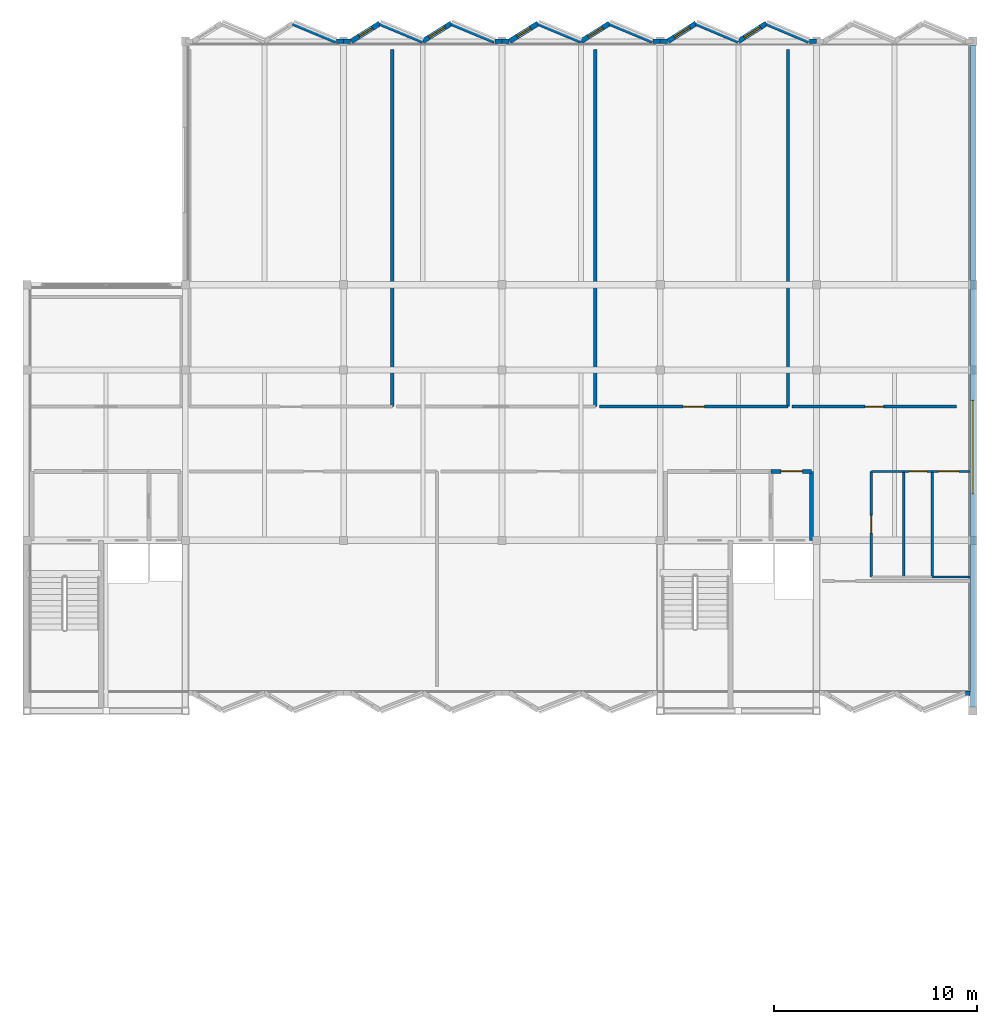
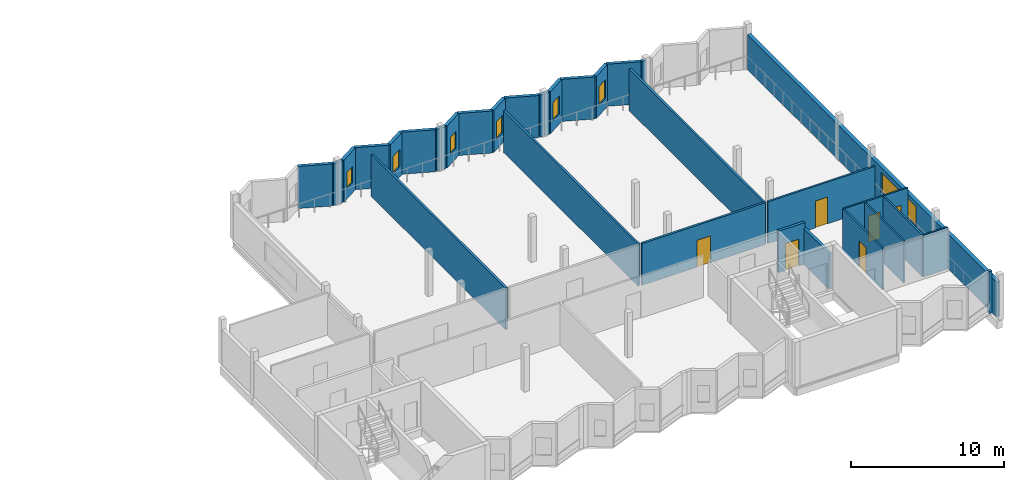
# One storey, part 9 of 15: 36 walls, 7 windows, 6 doors, 13 openings.
"""IFC4 building model written with IfcOpenShell, lengths in metres."""

from ifc_helpers import new_model, si_unit, direction, frame, frame_2d, origin, place, context, subcontext, project, spatial, rectangle, extrude, material, layer, layer_set, type_object, element, fill, save


model = new_model("IFC4")

# Units and contexts
model_context = context("Model", 3, precision=1e-05, world=origin(), true_north=direction((0.0, 1.0)))
body_context = subcontext(model_context, "Body", "Model", "MODEL_VIEW")
ifc_project = project(units=[si_unit("LENGTHUNIT", "METRE"), si_unit("AREAUNIT", "SQUARE_METRE"), si_unit("VOLUMEUNIT", "CUBIC_METRE"), si_unit("PLANEANGLEUNIT", "RADIAN"), si_unit("MASSUNIT", "GRAM", prefix="KILO")], contexts=[model_context])

# Site, building, storey
site_placement = place(None, origin())
site = spatial("IfcSite", under=ifc_project, at=site_placement, CompositionType="ELEMENT")
building_placement = place(site_placement, origin())
building = spatial("IfcBuilding", under=site, at=building_placement, Name="Vharandega Faculty of Natural Sciences", CompositionType="ELEMENT")
storey_placement = place(building_placement, frame((0.0, 0.0, 32.39990234375)))
storey = spatial("IfcBuildingStorey", under=building, at=storey_placement, Name="L08", CompositionType="ELEMENT", Elevation=32.39990234375)

# Wall, opening, door
ifc_material_1 = material(Name="Concrete C40/50", Category="concrete")
ifc_layer_1 = layer(ifc_material_1, 0.199951171875, Name="Concrete C40/50")
ifc_layer_set_1 = layer_set([ifc_layer_1], Name="Concrete C40/50")
wall_type_1 = type_object("IfcWallType", Name="Firefighting Lobby Wall 200", PredefinedType="PARTITIONING", material=ifc_layer_set_1)
wall_1_placement = place(storey_placement, frame((151.449951171875, 75.800048828125, 0.0), z_axis=(0.0, 0.0, 1.0), x_axis=(1.0, 0.0, 0.0)))
wall_1 = element("IfcWall", 1, at=wall_1_placement, inside=storey, type_object=wall_type_1, Name="Interior Wall PW-LL-C2-L08-N", PredefinedType="PARTITIONING", context=body_context, shape_type="SweptSolid", body=[
    extrude(rectangle(XDim=2.0, YDim=0.199951171875, at=frame_2d((1.0, 0.0))), origin(), (0.0, 0.0, 1.0), 3.320068359375),
])
opening_1_placement = place(wall_1_placement, frame((0.5, 0.0, 0.0)))
opening_1 = element("IfcOpeningElement", 2, at=opening_1_placement, cuts=wall_1, Name="Opening FD4", PredefinedType="OPENING", context=body_context, shape_type="SweptSolid", body=[
    extrude(rectangle(XDim=1.050048828125, YDim=2.14990234375, at=frame_2d((0.52490234375, 1.074951171875))), frame((0.0, 0.10986328125, 0.0), z_axis=(0.0, -1.0, 0.0), x_axis=(1.0, 0.0, 0.0)), (0.0, 0.0, 1.0), 0.219970703125),
])
ifc_material_2 = material(Name="Solid-core hardwood timber fire door", Category="wood")
door_type_1 = type_object("IfcDoorType", Name="FD4-LAB-SGL-1050x2150", OperationType="NOTDEFINED", PredefinedType="DOOR", material=ifc_material_2)
door_1_placement = place(opening_1_placement, origin())
door_1 = element("IfcDoor", 3, at=door_1_placement, inside=storey, type_object=door_type_1, Name="Lift Lobby C2 Door FD4", OperationType="SINGLE_SWING_RIGHT", OverallHeight=2.14990234375, OverallWidth=1.050048828125, PredefinedType="DOOR", context=body_context, shape_type="SweptSolid", body=[
    extrude(rectangle(XDim=1.050048828125, YDim=2.14990234375, at=frame_2d((0.52490234375, 1.074951171875))), frame((0.0, 0.02490234375, 0.0), z_axis=(0.0, -1.0, 0.0), x_axis=(1.0, 0.0, 0.0)), (0.0, 0.0, 1.0), 0.050048828125),
])
fill(opening_1, door_1)

# Walls
wall_2_placement = place(storey_placement, frame((153.449951171875, 72.39990234375, 0.0), z_axis=(0.0, 0.0, 1.0), x_axis=(0.0, 1.0, 0.0)))
element("IfcWall", 4, at=wall_2_placement, inside=storey, type_object=wall_type_1, Name="Interior Wall PW-LL-C2-L08-E", PredefinedType="PARTITIONING", context=body_context, shape_type="SweptSolid", body=[
    extrude(rectangle(XDim=3.400146484375, YDim=0.199951171875, at=frame_2d((1.7001953125, 0.0))), origin(), (0.0, 0.0, 1.0), 2.880126953125),
])
ifc_material_3 = material(Name="Gypsum fire-board on steel stud", Category="steel")
ifc_layer_2 = layer(ifc_material_3, 0.159912109375, Name="Gypsum fire-board on steel stud")
ifc_layer_set_2 = layer_set([ifc_layer_2], Name="Gypsum fire-board on steel stud")
wall_type_2 = type_object("IfcWallType", Name="Laboratory Fire Corridor Wall 160", PredefinedType="PARTITIONING", material=ifc_layer_set_2)
for number, where, z_axis, x_axis, name in (
    (5, (132.800048828125, 79.0, 0.0), (0.0, 0.0, 1.0), (0.0, 1.0, 0.0), "Interior Wall PW-L08-R08E"),
    (6, (142.800048828125, 79.0, 0.0), (0.0, 0.0, 1.0), (0.0, 1.0, 0.0), "Interior Wall PW-L08-R09E"),
):
    element("IfcWall", number, at=place(storey_placement, frame(where, z_axis=z_axis, x_axis=x_axis)), inside=storey, type_object=wall_type_2, Name=name, PredefinedType="PARTITIONING", context=body_context, shape_type="SweptSolid", body=[
        extrude(rectangle(XDim=17.60009765625, YDim=0.159912109375, at=frame_2d((8.800048828125, 0.0))), origin(), (0.0, 0.0, 1.0), 3.340087890625),
    ])

# Wall, opening, door
wall_3_placement = place(storey_placement, frame((143.0, 79.0, 0.0), z_axis=(0.0, 0.0, 1.0), x_axis=(1.0, 0.0, 0.0)))
wall_3 = element("IfcWall", 7, at=wall_3_placement, inside=storey, type_object=wall_type_2, Name="Interior Wall PW-L08-R10S", PredefinedType="PARTITIONING", context=body_context, shape_type="SweptSolid", body=[
    extrude(rectangle(XDim=9.300048828125, YDim=0.159912109375, at=frame_2d((4.64990234375, 0.0))), origin(), (0.0, 0.0, 1.0), 3.340087890625),
])
opening_2_placement = place(wall_3_placement, frame((4.125, 0.0, 0.0)))
opening_2 = element("IfcOpeningElement", 8, at=opening_2_placement, cuts=wall_3, Name="Opening FD4", PredefinedType="OPENING", context=body_context, shape_type="SweptSolid", body=[
    extrude(rectangle(XDim=1.050048828125, YDim=2.14990234375, at=frame_2d((0.52490234375, 1.074951171875))), frame((0.0, 0.08984375, 0.0), z_axis=(0.0, -1.0, 0.0), x_axis=(1.0, 0.0, 0.0)), (0.0, 0.0, 1.0), 0.179931640625),
])
door_2_placement = place(opening_2_placement, origin())
door_2 = element("IfcDoor", 9, at=door_2_placement, inside=storey, type_object=door_type_1, Name="Environmental Sensor Instrumentation Suite Door FD4", OperationType="SINGLE_SWING_LEFT", OverallHeight=2.14990234375, OverallWidth=1.050048828125, PredefinedType="DOOR", context=body_context, shape_type="SweptSolid", body=[
    extrude(rectangle(XDim=1.050048828125, YDim=2.14990234375, at=frame_2d((0.52490234375, 1.074951171875))), frame((0.0, 0.02490234375, 0.0), z_axis=(0.0, -1.0, 0.0), x_axis=(1.0, 0.0, 0.0)), (0.0, 0.0, 1.0), 0.050048828125),
])
fill(opening_2, door_2)

# Wall
wall_4_placement = place(storey_placement, frame((152.300048828125, 79.0, 0.0), z_axis=(0.0, 0.0, 1.0), x_axis=(0.0, 1.0, 0.0)))
element("IfcWall", 10, at=wall_4_placement, inside=storey, type_object=wall_type_2, Name="Interior Wall PW-L08-R10E", PredefinedType="PARTITIONING", context=body_context, shape_type="SweptSolid", body=[
    extrude(rectangle(XDim=17.60009765625, YDim=0.159912109375, at=frame_2d((8.800048828125, 0.0))), origin(), (0.0, 0.0, 1.0), 3.340087890625),
])

# Wall, opening, door
ifc_material_4 = material(Name="Gypsum acoustic partition", Category="gypsum")
ifc_layer_3 = layer(ifc_material_4, 0.139892578125, Name="Gypsum acoustic partition")
ifc_layer_set_3 = layer_set([ifc_layer_3], Name="Gypsum acoustic partition")
wall_type_3 = type_object("IfcWallType", Name="Room Partition Wall 140", PredefinedType="PARTITIONING", material=ifc_layer_set_3)
wall_5_placement = place(storey_placement, frame((152.5, 79.0, 0.0), z_axis=(0.0, 0.0, 1.0), x_axis=(1.0, 0.0, 0.0)))
wall_5 = element("IfcWall", 11, at=wall_5_placement, inside=storey, type_object=wall_type_3, Name="Interior Wall PW-L08-R11S", PredefinedType="PARTITIONING", context=body_context, shape_type="SweptSolid", body=[
    extrude(rectangle(XDim=8.10009765625, YDim=0.139892578125, at=frame_2d((4.050048828125, 0.0))), origin(), (0.0, 0.0, 1.0), 3.340087890625),
])
opening_3_placement = place(wall_5_placement, frame((3.590087890625, 0.0, 0.0)))
opening_3 = element("IfcOpeningElement", 12, at=opening_3_placement, cuts=wall_5, Name="Opening D0361", PredefinedType="OPENING", context=body_context, shape_type="SweptSolid", body=[
    extrude(rectangle(XDim=0.919921875, YDim=2.14990234375, at=frame_2d((0.4599609375, 1.074951171875))), frame((0.0, 0.080078125, 0.0), z_axis=(0.0, -1.0, 0.0), x_axis=(1.0, 0.0, 0.0)), (0.0, 0.0, 1.0), 0.159912109375),
])
ifc_material_5 = material(Name="Solid-core hardwood timber fire door", Category="wood")
door_type_2 = type_object("IfcDoorType", Name="ID05-OFFICE-0920x2150", OperationType="NOTDEFINED", PredefinedType="DOOR", material=ifc_material_5)
door_3_placement = place(opening_3_placement, origin())
door_3 = element("IfcDoor", 13, at=door_3_placement, inside=storey, type_object=door_type_2, Name="Academic Staff Office Suite 8A Door D0361", OperationType="SINGLE_SWING_RIGHT", OverallHeight=2.14990234375, OverallWidth=0.919921875, PredefinedType="DOOR", context=body_context, shape_type="SweptSolid", body=[
    extrude(rectangle(XDim=0.919921875, YDim=2.14990234375, at=frame_2d((0.4599609375, 1.074951171875))), frame((0.0, 0.02490234375, 0.0), z_axis=(0.0, -1.0, 0.0), x_axis=(1.0, 0.0, 0.0)), (0.0, 0.0, 1.0), 0.050048828125),
])
fill(opening_3, door_3)

# Wall
ifc_material_6 = material(Name="Moisture-resistant gypsum partition", Category="gypsum")
ifc_layer_4 = layer(ifc_material_6, 0.1201171875, Name="Moisture-resistant gypsum partition")
ifc_layer_set_4 = layer_set([ifc_layer_4], Name="Moisture-resistant gypsum partition")
wall_type_4 = type_object("IfcWallType", Name="Sanitary Wet Wall 120", PredefinedType="PARTITIONING", material=ifc_layer_set_4)
wall_6_placement = place(storey_placement, frame((156.39990234375, 75.800048828125, 0.0), z_axis=(0.0, 0.0, 1.0), x_axis=(1.0, 0.0, 0.0)))
element("IfcWall", 14, at=wall_6_placement, inside=storey, type_object=wall_type_4, Name="Interior Wall PW-L08-R04N", PredefinedType="PARTITIONING", context=body_context, shape_type="SweptSolid", body=[
    extrude(rectangle(XDim=1.60009765625, YDim=0.1201171875, at=frame_2d((0.800048828125, 0.0))), origin(), (0.0, 0.0, 1.0), 3.340087890625),
])

# Wall, opening, door
wall_7_placement = place(storey_placement, frame((156.39990234375, 70.60009765625, 0.0), z_axis=(0.0, 0.0, 1.0), x_axis=(0.0, 1.0, 0.0)))
wall_7 = element("IfcWall", 15, at=wall_7_placement, inside=storey, type_object=wall_type_4, Name="Interior Wall PW-L08-R04W", PredefinedType="PARTITIONING", context=body_context, shape_type="SweptSolid", body=[
    extrude(rectangle(XDim=5.199951171875, YDim=0.1201171875, at=frame_2d((2.60009765625, 0.0))), origin(), (0.0, 0.0, 1.0), 3.340087890625),
])
opening_4_placement = place(wall_7_placement, frame((2.159912109375, 0.0, 0.0)))
opening_4 = element("IfcOpeningElement", 16, at=opening_4_placement, cuts=wall_7, Name="Opening D0354", PredefinedType="OPENING", context=body_context, shape_type="SweptSolid", body=[
    extrude(rectangle(XDim=0.8798828125, YDim=2.10009765625, at=frame_2d((0.43994140625, 1.050048828125))), frame((0.0, 0.070068359375, 0.0), z_axis=(0.0, -1.0, 0.0), x_axis=(1.0, 0.0, 0.0)), (0.0, 0.0, 1.0), 0.14013671875),
])
ifc_material_7 = material(Name="Solid-core hardwood timber fire door", Category="wood")
door_type_3 = type_object("IfcDoorType", Name="ID06-WC-0880x2100", OperationType="NOTDEFINED", PredefinedType="DOOR", material=ifc_material_7)
door_4_placement = place(opening_4_placement, origin())
door_4 = element("IfcDoor", 17, at=door_4_placement, inside=storey, type_object=door_type_3, Name="L08 Male Washroom Door D0354", OperationType="SINGLE_SWING_LEFT", OverallHeight=2.10009765625, OverallWidth=0.8798828125, PredefinedType="DOOR", context=body_context, shape_type="SweptSolid", body=[
    extrude(rectangle(XDim=0.8798828125, YDim=2.10009765625, at=frame_2d((0.43994140625, 1.050048828125))), frame((0.0, 0.02490234375, 0.0), z_axis=(0.0, -1.0, 0.0), x_axis=(1.0, 0.0, 0.0)), (0.0, 0.0, 1.0), 0.050048828125),
])
fill(opening_4, door_4)

# Wall
wall_8_placement = place(storey_placement, frame((158.0, 70.60009765625, 0.0), z_axis=(0.0, 0.0, 1.0), x_axis=(0.0, 1.0, 0.0)))
element("IfcWall", 18, at=wall_8_placement, inside=storey, type_object=wall_type_4, Name="Interior Wall PW-L08-R04E", PredefinedType="PARTITIONING", context=body_context, shape_type="SweptSolid", body=[
    extrude(rectangle(XDim=5.199951171875, YDim=0.1201171875, at=frame_2d((2.60009765625, 0.0))), origin(), (0.0, 0.0, 1.0), 3.340087890625),
])

# Wall, opening, door
wall_9_placement = place(storey_placement, frame((158.0, 75.800048828125, 0.0), z_axis=(0.0, 0.0, 1.0), x_axis=(1.0, 0.0, 0.0)))
wall_9 = element("IfcWall", 19, at=wall_9_placement, inside=storey, type_object=wall_type_4, Name="Interior Wall PW-L08-R05N", PredefinedType="PARTITIONING", context=body_context, shape_type="SweptSolid", body=[
    extrude(rectangle(XDim=1.39990234375, YDim=0.1201171875, at=frame_2d((0.699951171875, 0.0))), origin(), (0.0, 0.0, 1.0), 3.340087890625),
])
opening_5_placement = place(wall_9_placement, frame((0.260009765625, 0.0, 0.0)))
opening_5 = element("IfcOpeningElement", 20, at=opening_5_placement, cuts=wall_9, Name="Opening D0355", PredefinedType="OPENING", context=body_context, shape_type="SweptSolid", body=[
    extrude(rectangle(XDim=0.8798828125, YDim=2.10009765625, at=frame_2d((0.43994140625, 1.050048828125))), frame((0.0, 0.070068359375, 0.0), z_axis=(0.0, -1.0, 0.0), x_axis=(1.0, 0.0, 0.0)), (0.0, 0.0, 1.0), 0.14013671875),
])
door_5_placement = place(opening_5_placement, origin())
door_5 = element("IfcDoor", 21, at=door_5_placement, inside=storey, type_object=door_type_3, Name="L08 Female Washroom Door D0355", OperationType="SINGLE_SWING_RIGHT", OverallHeight=2.10009765625, OverallWidth=0.8798828125, PredefinedType="DOOR", context=body_context, shape_type="SweptSolid", body=[
    extrude(rectangle(XDim=0.8798828125, YDim=2.10009765625, at=frame_2d((0.43994140625, 1.050048828125))), frame((0.0, 0.02490234375, 0.0), z_axis=(0.0, -1.0, 0.0), x_axis=(1.0, 0.0, 0.0)), (0.0, 0.0, 1.0), 0.050048828125),
])
fill(opening_5, door_5)

# Walls
wall_10_placement = place(storey_placement, frame((159.39990234375, 70.60009765625, 0.0), z_axis=(0.0, 0.0, 1.0), x_axis=(0.0, 1.0, 0.0)))
element("IfcWall", 22, at=wall_10_placement, inside=storey, type_object=wall_type_4, Name="Interior Wall PW-L08-R05E", PredefinedType="PARTITIONING", context=body_context, shape_type="SweptSolid", body=[
    extrude(rectangle(XDim=5.199951171875, YDim=0.1201171875, at=frame_2d((2.60009765625, 0.0))), origin(), (0.0, 0.0, 1.0), 3.340087890625),
])
wall_11_placement = place(storey_placement, frame((159.39990234375, 70.60009765625, 0.0), z_axis=(0.0, 0.0, 1.0), x_axis=(1.0, 0.0, 0.0)))
element("IfcWall", 23, at=wall_11_placement, inside=storey, type_object=wall_type_4, Name="Interior Wall PW-L08-R06S", PredefinedType="PARTITIONING", context=body_context, shape_type="SweptSolid", body=[
    extrude(rectangle(XDim=1.860107421875, YDim=0.1201171875, at=frame_2d((0.93017578125, 0.0))), origin(), (0.0, 0.0, 1.0), 3.340087890625),
])

# Wall, opening, door
wall_12_placement = place(storey_placement, frame((159.39990234375, 75.800048828125, 0.0), z_axis=(0.0, 0.0, 1.0), x_axis=(1.0, 0.0, 0.0)))
wall_12 = element("IfcWall", 24, at=wall_12_placement, inside=storey, type_object=wall_type_4, Name="Interior Wall PW-L08-R06N", PredefinedType="PARTITIONING", context=body_context, shape_type="SweptSolid", body=[
    extrude(rectangle(XDim=1.860107421875, YDim=0.1201171875, at=frame_2d((0.93017578125, 0.0))), origin(), (0.0, 0.0, 1.0), 3.340087890625),
])
opening_6_placement = place(wall_12_placement, frame((0.300048828125, 0.0, 0.0)))
opening_6 = element("IfcOpeningElement", 25, at=opening_6_placement, cuts=wall_12, Name="Opening D0356", PredefinedType="OPENING", context=body_context, shape_type="SweptSolid", body=[
    extrude(rectangle(XDim=1.02001953125, YDim=2.10009765625, at=frame_2d((0.510009765625, 1.050048828125))), frame((0.0, 0.070068359375, 0.0), z_axis=(0.0, -1.0, 0.0), x_axis=(1.0, 0.0, 0.0)), (0.0, 0.0, 1.0), 0.14013671875),
])
ifc_material_8 = material(Name="Solid-core hardwood timber fire door", Category="wood")
door_type_4 = type_object("IfcDoorType", Name="ID07-ACCWC-1020x2100", OperationType="NOTDEFINED", PredefinedType="DOOR", material=ifc_material_8)
door_6_placement = place(opening_6_placement, origin())
door_6 = element("IfcDoor", 26, at=door_6_placement, inside=storey, type_object=door_type_4, Name="L08 Accessible WC Door D0356", OperationType="SINGLE_SWING_LEFT", OverallHeight=2.10009765625, OverallWidth=1.02001953125, PredefinedType="DOOR", context=body_context, shape_type="SweptSolid", body=[
    extrude(rectangle(XDim=1.02001953125, YDim=2.10009765625, at=frame_2d((0.510009765625, 1.050048828125))), frame((0.0, 0.02490234375, 0.0), z_axis=(0.0, -1.0, 0.0), x_axis=(1.0, 0.0, 0.0)), (0.0, 0.0, 1.0), 0.050048828125),
])
fill(opening_6, door_6)

# Wall, opening, window
ifc_material_9 = material(Name="Precast concrete C40/50", Category="concrete")
ifc_layer_5 = layer(ifc_material_9, 0.25, Name="Precast concrete C40/50")
ifc_layer_set_5 = layer_set([ifc_layer_5], Name="Precast concrete C40/50")
wall_type_5 = type_object("IfcWallType", Name="Sawtooth Glazed-Face Precast Wall 250", PredefinedType="SOLIDWALL", material=ifc_layer_set_5)
wall_13_placement = place(storey_placement, frame((130.780029296875, 97.0, 0.0), z_axis=(0.0, 0.0, 1.0), x_axis=(0.848023086369, 0.529959286158, 0.0)))
wall_13 = element("IfcWall", 27, at=wall_13_placement, inside=storey, type_object=wall_type_5, Name="Exterior Wall EW-SAW-L08-N03G", PredefinedType="SOLIDWALL", context=body_context, shape_type="SweptSolid", body=[
    extrude(rectangle(XDim=1.660400390625, YDim=0.25, at=frame_2d((0.830078125, 0.0))), origin(), (0.0, 0.0, 1.0), 3.360107421875),
])
opening_7_placement = place(wall_13_placement, frame((0.440185546875, 0.0, 0.820068359375)))
opening_7 = element("IfcOpeningElement", 28, at=opening_7_placement, cuts=wall_13, Name="Opening WN-06A", PredefinedType="OPENING", context=body_context, shape_type="SweptSolid", body=[
    extrude(rectangle(XDim=0.780029296875, YDim=1.300048828125, at=frame_2d((0.39013671875, 0.64990234375))), frame((0.0, 0.135009765625, 0.0), z_axis=(0.0, -1.0, 0.0), x_axis=(1.0, 0.0, 0.0)), (0.0, 0.0, 1.0), 0.27001953125),
])
ifc_material_10 = material(Name="Double-glazed solar-control glass in thermally broken aluminium frame", Category="aluminium")
window_type_1 = type_object("IfcWindowType", Name="WIN-SAW-078x130", PartitioningType="SINGLE_PANEL", PredefinedType="WINDOW", material=ifc_material_10)
window_1_placement = place(opening_7_placement, origin())
window_1 = element("IfcWindow", 29, at=window_1_placement, inside=storey, type_object=window_type_1, Name="Window WIN-L08-0071", OverallHeight=1.300048828125, OverallWidth=0.780029296875, PartitioningType="SINGLE_PANEL", PredefinedType="WINDOW", context=body_context, shape_type="SweptSolid", body=[
    extrude(rectangle(XDim=0.780029296875, YDim=1.300048828125, at=frame_2d((0.39013671875, 0.64990234375))), frame((0.0, 0.030029296875, 0.0), z_axis=(0.0, -1.0, 0.0), x_axis=(1.0, 0.0, 0.0)), (0.0, 0.0, 1.0), 0.06005859375),
])
fill(opening_7, window_1)

wall_14_placement = place(storey_placement, frame((134.300048828125, 97.0, 0.0), z_axis=(0.0, 0.0, 1.0), x_axis=(0.848023086369, 0.529959286158, 0.0)))
wall_14 = element("IfcWall", 30, at=wall_14_placement, inside=storey, type_object=wall_type_5, Name="Exterior Wall EW-SAW-L08-N04G", PredefinedType="SOLIDWALL", context=body_context, shape_type="SweptSolid", body=[
    extrude(rectangle(XDim=1.660400390625, YDim=0.25, at=frame_2d((0.830078125, 0.0))), origin(), (0.0, 0.0, 1.0), 3.360107421875),
])
opening_8_placement = place(wall_14_placement, frame((0.3701171875, 0.0, 0.820068359375)))
opening_8 = element("IfcOpeningElement", 31, at=opening_8_placement, cuts=wall_14, Name="Opening WN-06B", PredefinedType="OPENING", context=body_context, shape_type="SweptSolid", body=[
    extrude(rectangle(XDim=0.919921875, YDim=1.3798828125, at=frame_2d((0.4599609375, 0.68994140625))), frame((0.0, 0.135009765625, 0.0), z_axis=(0.0, -1.0, 0.0), x_axis=(1.0, 0.0, 0.0)), (0.0, 0.0, 1.0), 0.27001953125),
])
ifc_material_11 = material(Name="Double-glazed solar-control glass in thermally broken aluminium frame", Category="aluminium")
window_type_2 = type_object("IfcWindowType", Name="WIN-SAW-092x138", PartitioningType="SINGLE_PANEL", PredefinedType="WINDOW", material=ifc_material_11)
window_2_placement = place(opening_8_placement, origin())
window_2 = element("IfcWindow", 32, at=window_2_placement, inside=storey, type_object=window_type_2, Name="Window WIN-L08-0072", OverallHeight=1.3798828125, OverallWidth=0.919921875, PartitioningType="SINGLE_PANEL", PredefinedType="WINDOW", context=body_context, shape_type="SweptSolid", body=[
    extrude(rectangle(XDim=0.919921875, YDim=1.3798828125, at=frame_2d((0.4599609375, 0.68994140625))), frame((0.0, 0.030029296875, 0.0), z_axis=(0.0, -1.0, 0.0), x_axis=(1.0, 0.0, 0.0)), (0.0, 0.0, 1.0), 0.06005859375),
])
fill(opening_8, window_2)

wall_15_placement = place(storey_placement, frame((138.580078125, 97.0, 0.0), z_axis=(0.0, 0.0, 1.0), x_axis=(0.848023086369, 0.529959286158, 0.0)))
wall_15 = element("IfcWall", 33, at=wall_15_placement, inside=storey, type_object=wall_type_5, Name="Exterior Wall EW-SAW-L08-N05G", PredefinedType="SOLIDWALL", context=body_context, shape_type="SweptSolid", body=[
    extrude(rectangle(XDim=1.660400390625, YDim=0.25, at=frame_2d((0.830078125, 0.0))), origin(), (0.0, 0.0, 1.0), 3.360107421875),
])
opening_9_placement = place(wall_15_placement, frame((0.43017578125, 0.0, 0.820068359375)))
opening_9 = element("IfcOpeningElement", 34, at=opening_9_placement, cuts=wall_15, Name="Opening WN-01", PredefinedType="OPENING", context=body_context, shape_type="SweptSolid", body=[
    extrude(rectangle(XDim=0.800048828125, YDim=1.35009765625, at=frame_2d((0.39990234375, 0.675048828125))), frame((0.0, 0.135009765625, 0.0), z_axis=(0.0, -1.0, 0.0), x_axis=(1.0, 0.0, 0.0)), (0.0, 0.0, 1.0), 0.27001953125),
])
ifc_material_12 = material(Name="Double-glazed solar-control glass in thermally broken aluminium frame", Category="aluminium")
window_type_3 = type_object("IfcWindowType", Name="WIN-SAW-080x135", PartitioningType="SINGLE_PANEL", PredefinedType="WINDOW", material=ifc_material_12)
window_3_placement = place(opening_9_placement, origin())
window_3 = element("IfcWindow", 35, at=window_3_placement, inside=storey, type_object=window_type_3, Name="Window WIN-L08-0073", OverallHeight=1.35009765625, OverallWidth=0.800048828125, PartitioningType="SINGLE_PANEL", PredefinedType="WINDOW", context=body_context, shape_type="SweptSolid", body=[
    extrude(rectangle(XDim=0.800048828125, YDim=1.35009765625, at=frame_2d((0.39990234375, 0.675048828125))), frame((0.0, 0.030029296875, 0.0), z_axis=(0.0, -1.0, 0.0), x_axis=(1.0, 0.0, 0.0)), (0.0, 0.0, 1.0), 0.06005859375),
])
fill(opening_9, window_3)

wall_16_placement = place(storey_placement, frame((142.10009765625, 97.0, 0.0), z_axis=(0.0, 0.0, 1.0), x_axis=(0.848023086369, 0.529959286158, 0.0)))
wall_16 = element("IfcWall", 36, at=wall_16_placement, inside=storey, type_object=wall_type_5, Name="Exterior Wall EW-SAW-L08-N06G", PredefinedType="SOLIDWALL", context=body_context, shape_type="SweptSolid", body=[
    extrude(rectangle(XDim=1.660400390625, YDim=0.25, at=frame_2d((0.830078125, 0.0))), origin(), (0.0, 0.0, 1.0), 3.360107421875),
])
opening_10_placement = place(wall_16_placement, frame((0.4052734375, 0.0, 0.820068359375)))
opening_10 = element("IfcOpeningElement", 37, at=opening_10_placement, cuts=wall_16, Name="Opening WN-02", PredefinedType="OPENING", context=body_context, shape_type="SweptSolid", body=[
    extrude(rectangle(XDim=0.85009765625, YDim=1.39990234375, at=frame_2d((0.425048828125, 0.699951171875))), frame((0.0, 0.135009765625, 0.0), z_axis=(0.0, -1.0, 0.0), x_axis=(1.0, 0.0, 0.0)), (0.0, 0.0, 1.0), 0.27001953125),
])
ifc_material_13 = material(Name="Double-glazed solar-control glass in thermally broken aluminium frame", Category="aluminium")
window_type_4 = type_object("IfcWindowType", Name="WIN-SAW-085x140", PartitioningType="SINGLE_PANEL", PredefinedType="WINDOW", material=ifc_material_13)
window_4_placement = place(opening_10_placement, origin())
window_4 = element("IfcWindow", 38, at=window_4_placement, inside=storey, type_object=window_type_4, Name="Window WIN-L08-0074", OverallHeight=1.39990234375, OverallWidth=0.85009765625, PartitioningType="SINGLE_PANEL", PredefinedType="WINDOW", context=body_context, shape_type="SweptSolid", body=[
    extrude(rectangle(XDim=0.85009765625, YDim=1.39990234375, at=frame_2d((0.425048828125, 0.699951171875))), frame((0.0, 0.030029296875, 0.0), z_axis=(0.0, -1.0, 0.0), x_axis=(1.0, 0.0, 0.0)), (0.0, 0.0, 1.0), 0.06005859375),
])
fill(opening_10, window_4)

wall_17_placement = place(storey_placement, frame((146.3798828125, 97.0, 0.0), z_axis=(0.0, 0.0, 1.0), x_axis=(0.844626536799, 0.535355968805, 0.0)))
wall_17 = element("IfcWall", 39, at=wall_17_placement, inside=storey, type_object=wall_type_5, Name="Exterior Wall EW-SAW-L08-N07G", PredefinedType="SOLIDWALL", context=body_context, shape_type="SweptSolid", body=[
    extrude(rectangle(XDim=1.6435546875, YDim=0.25, at=frame_2d((0.82177734375, 0.0))), origin(), (0.0, 0.0, 1.0), 3.360107421875),
])
opening_11_placement = place(wall_17_placement, frame((0.37158203125, 0.0, 0.820068359375)))
opening_11 = element("IfcOpeningElement", 40, at=opening_11_placement, cuts=wall_17, Name="Opening WN-03", PredefinedType="OPENING", context=body_context, shape_type="SweptSolid", body=[
    extrude(rectangle(XDim=0.89990234375, YDim=1.449951171875, at=frame_2d((0.449951171875, 0.72509765625))), frame((0.0, 0.135009765625, 0.0), z_axis=(0.0, -1.0, 0.0), x_axis=(1.0, 0.0, 0.0)), (0.0, 0.0, 1.0), 0.27001953125),
])
ifc_material_14 = material(Name="Double-glazed solar-control glass in thermally broken aluminium frame", Category="aluminium")
window_type_5 = type_object("IfcWindowType", Name="WIN-SAW-090x145", PartitioningType="SINGLE_PANEL", PredefinedType="WINDOW", material=ifc_material_14)
window_5_placement = place(opening_11_placement, origin())
window_5 = element("IfcWindow", 41, at=window_5_placement, inside=storey, type_object=window_type_5, Name="Window WIN-L08-0075", OverallHeight=1.449951171875, OverallWidth=0.89990234375, PartitioningType="SINGLE_PANEL", PredefinedType="WINDOW", context=body_context, shape_type="SweptSolid", body=[
    extrude(rectangle(XDim=0.89990234375, YDim=1.449951171875, at=frame_2d((0.449951171875, 0.72509765625))), frame((0.0, 0.030029296875, 0.0), z_axis=(0.0, -1.0, 0.0), x_axis=(1.0, 0.0, 0.0)), (0.0, 0.0, 1.0), 0.06005859375),
])
fill(opening_11, window_5)

wall_18_placement = place(storey_placement, frame((149.85009765625, 97.0, 0.0), z_axis=(0.0, 0.0, 1.0), x_axis=(0.844583954912, 0.535423143976, 0.0)))
wall_18 = element("IfcWall", 42, at=wall_18_placement, inside=storey, type_object=wall_type_5, Name="Exterior Wall EW-SAW-L08-N08G", PredefinedType="SOLIDWALL", context=body_context, shape_type="SweptSolid", body=[
    extrude(rectangle(XDim=1.643310546875, YDim=0.25, at=frame_2d((0.82177734375, 0.0))), origin(), (0.0, 0.0, 1.0), 3.360107421875),
])
opening_12_placement = place(wall_18_placement, frame((0.3466796875, 0.0, 0.820068359375)))
opening_12 = element("IfcOpeningElement", 43, at=opening_12_placement, cuts=wall_18, Name="Opening WN-04", PredefinedType="OPENING", context=body_context, shape_type="SweptSolid", body=[
    extrude(rectangle(XDim=0.949951171875, YDim=1.5, at=frame_2d((0.47509765625, 0.75))), frame((0.0, 0.135009765625, 0.0), z_axis=(0.0, -1.0, 0.0), x_axis=(1.0, 0.0, 0.0)), (0.0, 0.0, 1.0), 0.27001953125),
])
ifc_material_15 = material(Name="Double-glazed solar-control glass in thermally broken aluminium frame", Category="aluminium")
window_type_6 = type_object("IfcWindowType", Name="WIN-SAW-095x150", PartitioningType="SINGLE_PANEL", PredefinedType="WINDOW", material=ifc_material_15)
window_6_placement = place(opening_12_placement, origin())
window_6 = element("IfcWindow", 44, at=window_6_placement, inside=storey, type_object=window_type_6, Name="Window WIN-L08-0076", OverallHeight=1.5, OverallWidth=0.949951171875, PartitioningType="SINGLE_PANEL", PredefinedType="WINDOW", context=body_context, shape_type="SweptSolid", body=[
    extrude(rectangle(XDim=0.949951171875, YDim=1.5, at=frame_2d((0.47509765625, 0.75))), frame((0.0, 0.030029296875, 0.0), z_axis=(0.0, -1.0, 0.0), x_axis=(1.0, 0.0, 0.0)), (0.0, 0.0, 1.0), 0.06005859375),
])
fill(opening_12, window_6)

# Walls
ifc_material_16 = material(Name="Precast concrete C40/50", Category="concrete")
ifc_layer_6 = layer(ifc_material_16, 0.22998046875, Name="Precast concrete C40/50")
ifc_layer_set_6 = layer_set([ifc_layer_6], Name="Precast concrete C40/50")
wall_type_6 = type_object("IfcWallType", Name="Sawtooth Solid White Precast Wall 230", PredefinedType="SOLIDWALL", material=ifc_layer_set_6)
wall_19_placement = place(storey_placement, frame((130.050048828125, 97.0, 0.0), z_axis=(0.0, 0.0, 1.0), x_axis=(1.0, 0.0, 0.0)))
element("IfcWall", 45, at=wall_19_placement, inside=storey, type_object=wall_type_6, Name="Exterior Wall EW-SHL-L08-N17R", PredefinedType="SOLIDWALL", context=body_context, shape_type="SweptSolid", body=[
    extrude(rectangle(XDim=0.349853515625, YDim=0.22998046875, at=frame_2d((0.1748046875, 0.0))), origin(), (0.0, 0.0, 1.0), 3.360107421875),
])
wall_20_placement = place(storey_placement, frame((130.39990234375, 97.0, 0.0), z_axis=(0.0, 0.0, 1.0), x_axis=(1.0, 0.0, 0.0)))
element("IfcWall", 46, at=wall_20_placement, inside=storey, type_object=wall_type_6, Name="Exterior Wall EW-SHL-L08-N17L", PredefinedType="SOLIDWALL", context=body_context, shape_type="SweptSolid", body=[
    extrude(rectangle(XDim=0.35009765625, YDim=0.22998046875, at=frame_2d((0.175048828125, 0.0))), origin(), (0.0, 0.0, 1.0), 3.360107421875),
])
wall_21_placement = place(storey_placement, frame((137.85009765625, 97.0, 0.0), z_axis=(0.0, 0.0, 1.0), x_axis=(1.0, 0.0, 0.0)))
element("IfcWall", 47, at=wall_21_placement, inside=storey, type_object=wall_type_6, Name="Exterior Wall EW-SHL-L08-N18R", PredefinedType="SOLIDWALL", context=body_context, shape_type="SweptSolid", body=[
    extrude(rectangle(XDim=0.349853515625, YDim=0.22998046875, at=frame_2d((0.1748046875, 0.0))), origin(), (0.0, 0.0, 1.0), 3.360107421875),
])
for number, where, z_axis, x_axis, name in (
    (48, (138.199951171875, 97.0, 0.0), (0.0, 0.0, 1.0), (1.0, 0.0, 0.0), "Exterior Wall EW-SHL-L08-N18L"),
    (49, (145.64990234375, 97.0, 0.0), (0.0, 0.0, 1.0), (1.0, 0.0, 0.0), "Exterior Wall EW-SHL-L08-N19R"),
    (50, (146.0, 97.0, 0.0), (0.0, 0.0, 1.0), (1.0, 0.0, 0.0), "Exterior Wall EW-SHL-L08-N19L"),
):
    element("IfcWall", number, at=place(storey_placement, frame(where, z_axis=z_axis, x_axis=x_axis)), inside=storey, type_object=wall_type_6, Name=name, PredefinedType="SOLIDWALL", context=body_context, shape_type="SweptSolid", body=[
        extrude(rectangle(XDim=0.35009765625, YDim=0.22998046875, at=frame_2d((0.175048828125, 0.0))), origin(), (0.0, 0.0, 1.0), 3.360107421875),
    ])
wall_22_placement = place(storey_placement, frame((153.35009765625, 97.0, 0.0), z_axis=(0.0, 0.0, 1.0), x_axis=(1.0, 0.0, 0.0)))
element("IfcWall", 51, at=wall_22_placement, inside=storey, type_object=wall_type_6, Name="Exterior Wall EW-SHL-L08-N20R", PredefinedType="SOLIDWALL", context=body_context, shape_type="SweptSolid", body=[
    extrude(rectangle(XDim=0.349853515625, YDim=0.22998046875, at=frame_2d((0.1748046875, 0.0))), origin(), (0.0, 0.0, 1.0), 3.360107421875),
])
wall_23_placement = place(storey_placement, frame((161.264892578125, 64.8798828125, 0.0), z_axis=(0.0, 0.0, 1.0), x_axis=(-1.0, 0.0, 0.0)))
element("IfcWall", 52, at=wall_23_placement, inside=storey, type_object=wall_type_6, Name="Exterior Wall EW-SHL-L08-S2021FR", PredefinedType="SOLIDWALL", context=body_context, shape_type="SweptSolid", body=[
    extrude(rectangle(XDim=0.224853515625, YDim=0.22998046875, at=frame_2d((0.1123046875, 0.0))), origin(), (0.0, 0.0, 1.0), 3.360107421875),
])
for number, where, z_axis, x_axis, name in (
    (53, (127.907958984375, 97.8798828125, 0.0), (0.0, 0.0, 1.0), (0.92309902008, -0.384562347517, 0.0), "Exterior Wall EW-SAW-L08-N02S"),
    (54, (132.18798828125, 97.8798828125, 0.0), (0.0, 0.0, 1.0), (0.92309902008, -0.384562347517, 0.0), "Exterior Wall EW-SAW-L08-N03S"),
    (55, (135.7080078125, 97.8798828125, 0.0), (0.0, 0.0, 1.0), (0.92309902008, -0.384562347517, 0.0), "Exterior Wall EW-SAW-L08-N04S"),
    (56, (139.988037109375, 97.8798828125, 0.0), (0.0, 0.0, 1.0), (0.92309902008, -0.384562347517, 0.0), "Exterior Wall EW-SAW-L08-N05S"),
    (57, (143.508056640625, 97.8798828125, 0.0), (0.0, 0.0, 1.0), (0.92309902008, -0.384562347517, 0.0), "Exterior Wall EW-SAW-L08-N06S"),
):
    element("IfcWall", number, at=place(storey_placement, frame(where, z_axis=z_axis, x_axis=x_axis)), inside=storey, type_object=wall_type_6, Name=name, PredefinedType="SOLIDWALL", context=body_context, shape_type="SweptSolid", body=[
        extrude(rectangle(XDim=2.2880859375, YDim=0.22998046875, at=frame_2d((1.14404296875, 0.0))), origin(), (0.0, 0.0, 1.0), 3.360107421875),
    ])
for number, where, z_axis, x_axis, name in (
    (58, (147.76806640625, 97.8798828125, 0.0), (0.0, 0.0, 1.0), (0.921122216024, -0.389273506866, 0.0), "Exterior Wall EW-SAW-L08-N07S"),
    (59, (151.238037109375, 97.8798828125, 0.0), (0.0, 0.0, 1.0), (0.921122216024, -0.389273506866, 0.0), "Exterior Wall EW-SAW-L08-N08S"),
):
    element("IfcWall", number, at=place(storey_placement, frame(where, z_axis=z_axis, x_axis=x_axis)), inside=storey, type_object=wall_type_6, Name=name, PredefinedType="SOLIDWALL", context=body_context, shape_type="SweptSolid", body=[
        extrude(rectangle(XDim=2.26025390625, YDim=0.22998046875, at=frame_2d((1.130126953125, 0.0))), origin(), (0.0, 0.0, 1.0), 3.360107421875),
    ])

# Wall, opening, window
ifc_material_17 = material(Name="Precast concrete C40/50", Category="concrete")
ifc_layer_7 = layer(ifc_material_17, 0.280029296875, Name="Precast concrete C40/50")
ifc_layer_set_7 = layer_set([ifc_layer_7], Name="Precast concrete C40/50")
wall_type_7 = type_object("IfcWallType", Name="White Precast End Wall 280", PredefinedType="SOLIDWALL", material=ifc_layer_set_7)
wall_24_placement = place(storey_placement, frame((161.39990234375, 96.802001953125, 0.0), z_axis=(0.0, 0.0, 1.0), x_axis=(0.0, -1.0, 0.0)))
wall_24 = element("IfcWall", 60, at=wall_24_placement, inside=storey, type_object=wall_type_7, Name="Exterior Wall EW-L08-V4E", PredefinedType="SOLIDWALL", context=body_context, shape_type="SweptSolid", body=[
    extrude(rectangle(XDim=32.60400390625, YDim=0.280029296875, at=frame_2d((16.302001953125, 0.0))), origin(), (0.0, 0.0, 1.0), 2.800048828125),
])
opening_13_placement = place(wall_24_placement, frame((17.501953125, 0.0, 0.820068359375)))
opening_13 = element("IfcOpeningElement", 61, at=opening_13_placement, cuts=wall_24, Name="Opening WN-14", PredefinedType="OPENING", context=body_context, shape_type="SweptSolid", body=[
    extrude(rectangle(XDim=4.60009765625, YDim=1.60009765625, at=frame_2d((2.300048828125, 0.800048828125))), frame((0.0, 0.14990234375, 0.0), z_axis=(0.0, -1.0, 0.0), x_axis=(1.0, 0.0, 0.0)), (0.0, 0.0, 1.0), 0.300048828125),
])
ifc_material_18 = material(Name="Double-glazed solar-control glass in thermally broken aluminium frame", Category="aluminium")
window_type_7 = type_object("IfcWindowType", Name="WIN-MON-460x160", PartitioningType="DOUBLE_PANEL_VERTICAL", PredefinedType="WINDOW", material=ifc_material_18)
window_7_placement = place(opening_13_placement, origin())
window_7 = element("IfcWindow", 62, at=window_7_placement, inside=storey, type_object=window_type_7, Name="Window WIN-L08-0067", OverallHeight=1.60009765625, OverallWidth=4.60009765625, PartitioningType="SINGLE_PANEL", PredefinedType="WINDOW", context=body_context, shape_type="SweptSolid", body=[
    extrude(rectangle(XDim=4.60009765625, YDim=1.60009765625, at=frame_2d((2.300048828125, 0.800048828125))), frame((0.0, 0.030029296875, 0.0), z_axis=(0.0, -1.0, 0.0), x_axis=(1.0, 0.0, 0.0)), (0.0, 0.0, 1.0), 0.06005859375),
])
fill(opening_13, window_7)

save(model, "model.ifc")
